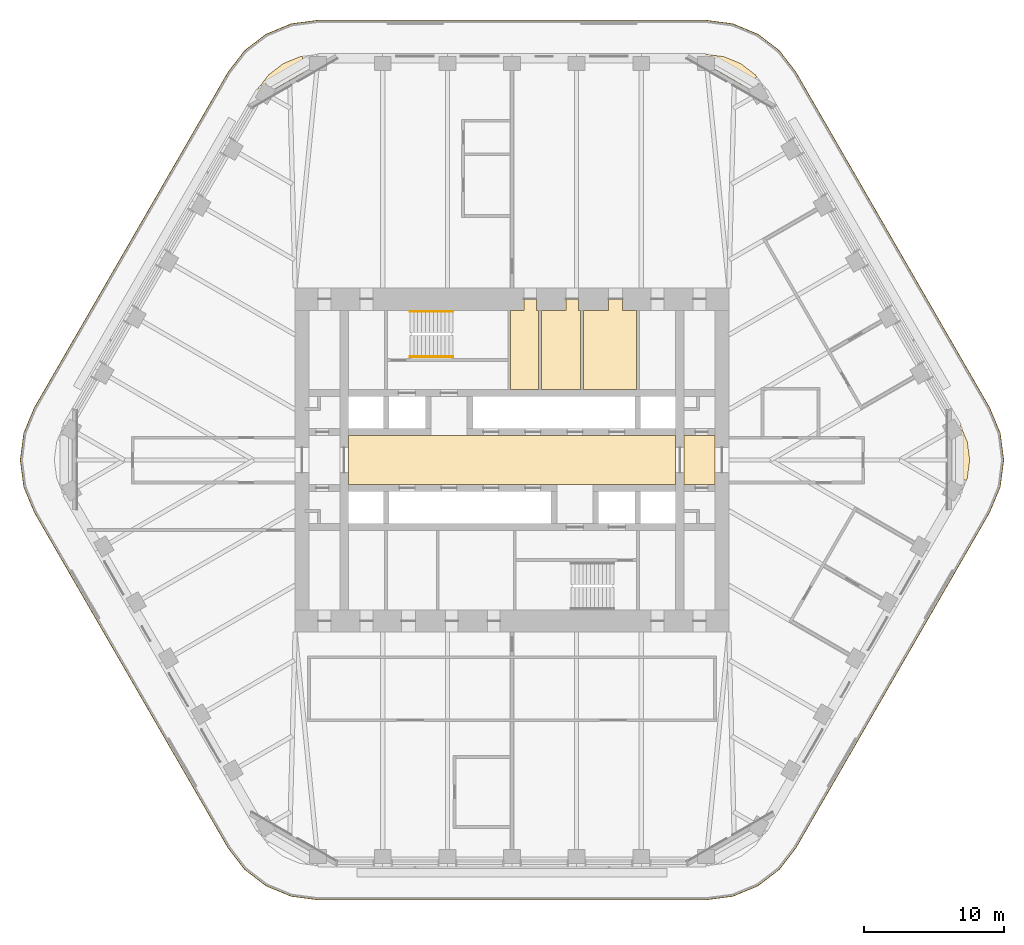
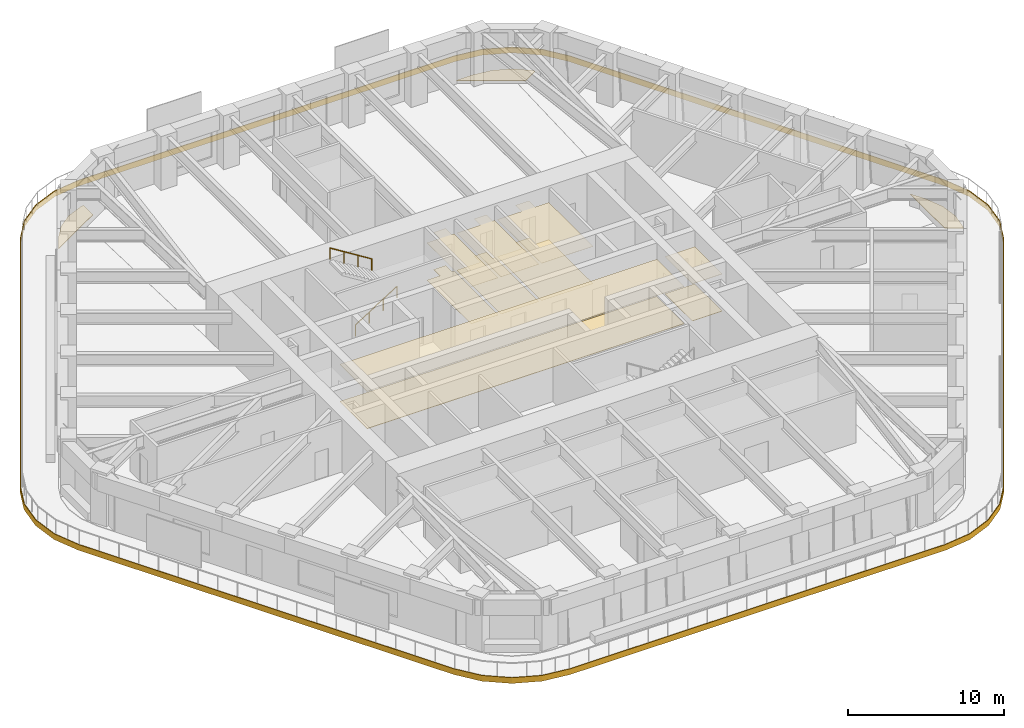
# One storey, part 19 of 20: 14 coverings, 2 railings.
"""IFC4 building model written with IfcOpenShell, lengths in metres."""

from ifc_helpers import new_model, si_unit, direction, frame, origin, origin_2d, place, context, subcontext, project, spatial, polyline, circle, outline, extrude, material, layer, layer_set, type_object, element, save


model = new_model("IFC4")

# Units and contexts
model_context = context("Model", 3, precision=1e-05, world=origin(), true_north=direction((0.0, 1.0)))
body_context = subcontext(model_context, "Body", "Model", "MODEL_VIEW")
ifc_project = project(units=[si_unit("LENGTHUNIT", "METRE"), si_unit("AREAUNIT", "SQUARE_METRE"), si_unit("VOLUMEUNIT", "CUBIC_METRE"), si_unit("PLANEANGLEUNIT", "RADIAN"), si_unit("MASSUNIT", "GRAM", prefix="KILO")], contexts=[model_context])

# Site, building, storey
site_placement = place(None, origin())
site = spatial("IfcSite", under=ifc_project, at=site_placement, CompositionType="ELEMENT")
building_placement = place(site_placement, origin())
building = spatial("IfcBuilding", under=site, at=building_placement, Name="Tarfa Lantern Tower", CompositionType="ELEMENT")
storey_placement = place(building_placement, frame((0.0, 0.0, 261.699951171875)))
storey = spatial("IfcBuildingStorey", under=building, at=storey_placement, Name="L59", CompositionType="ELEMENT", Elevation=261.699951171875)

# Coverings
ifc_material_1 = material(Name="Moisture-resistant plasterboard", Category="finish")
ifc_layer_1 = layer(ifc_material_1, 0.014892578125)
ifc_layer_set_1 = layer_set([ifc_layer_1], Name="CL2 MOISTURE-RESISTANT PLASTERBOARD CEILING 15")
covering_type_1 = type_object("IfcCoveringType", Name="CL2 MOISTURE-RESISTANT PLASTERBOARD CEILING 15", PredefinedType="CEILING", material=ifc_layer_set_1)
covering_1_placement = place(storey_placement, frame((0.0, 0.0, 2.900146484375)))
element("IfcCovering", 1, at=covering_1_placement, inside=storey, type_object=covering_type_1, Name="Ceiling L59-07", PredefinedType="CEILING", context=body_context, shape_type="SweptSolid", body=[
    extrude(outline(polyline([(0.85009765625, 10.699951171875), (-0.10009765625, 10.699951171875), (-0.10009765625, 5.050048828125), (1.89990234375, 5.050048828125), (1.89990234375, 10.699951171875), (1.75, 10.699951171875), (1.75, 11.5), (1.75, 11.5), (0.85009765625, 11.5), (0.85009765625, 10.699951171875)])), origin(), (0.0, 0.0, 1.0), 0.014892578125),
])
covering_2_placement = place(storey_placement, frame((0.0, 0.0, 2.900146484375)))
element("IfcCovering", 2, at=covering_2_placement, inside=storey, type_object=covering_type_1, Name="Ceiling L59-08", PredefinedType="CEILING", context=body_context, shape_type="SweptSolid", body=[
    extrude(outline(polyline([(2.10009765625, 5.050048828125), (4.89990234375, 5.050048828125), (4.89990234375, 10.699951171875), (4.75, 10.699951171875), (4.75, 11.5), (3.85009765625, 11.5), (3.85009765625, 10.699951171875), (2.10009765625, 10.699951171875), (2.10009765625, 5.050048828125)])), origin(), (0.0, 0.0, 1.0), 0.014892578125),
])
covering_3_placement = place(storey_placement, frame((0.0, 0.0, 2.900146484375)))
element("IfcCovering", 3, at=covering_3_placement, inside=storey, type_object=covering_type_1, Name="Ceiling L59-09", PredefinedType="CEILING", context=body_context, shape_type="SweptSolid", body=[
    extrude(outline(polyline([(5.10009765625, 5.050048828125), (8.89990234375, 5.050048828125), (8.89990234375, 10.699951171875), (7.89990234375, 10.699951171875), (7.89990234375, 11.5), (6.89990234375, 11.5), (6.89990234375, 10.699951171875), (5.10009765625, 10.699951171875), (5.10009765625, 5.050048828125)])), origin(), (0.0, 0.0, 1.0), 0.014892578125),
])
ifc_material_2 = material(Name="Powder-coated aluminium panel", Category="aluminium")
ifc_layer_2 = layer(ifc_material_2, 0.030029296875)
ifc_layer_set_2 = layer_set([ifc_layer_2], Name="CL3 METAL PANEL CEILING 30")
covering_type_2 = type_object("IfcCoveringType", Name="CL3 METAL PANEL CEILING 30", PredefinedType="CEILING", material=ifc_layer_set_2)
covering_4_placement = place(storey_placement, frame((0.0, 0.0, 2.900146484375)))
element("IfcCovering", 4, at=covering_4_placement, inside=storey, type_object=covering_type_2, Name="Ceiling L59-02", PredefinedType="CEILING", context=body_context, shape_type="SweptSolid", body=[
    extrude(outline(polyline([(-11.699951171875, -1.75), (11.699951171875, -1.75), (11.699951171875, 1.75), (-11.699951171875, 1.75), (-11.699951171875, -1.75)])), origin(), (0.0, 0.0, 1.0), 0.02978515625),
])
covering_5_placement = place(storey_placement, frame((0.0, 0.0, 2.900146484375)))
element("IfcCovering", 5, at=covering_5_placement, inside=storey, type_object=covering_type_2, Name="Ceiling L59-03", PredefinedType="CEILING", context=body_context, shape_type="SweptSolid", body=[
    extrude(outline(polyline([(12.300048828125, -1.75), (14.5, -1.75), (14.5, 1.75), (12.300048828125, 1.75), (12.300048828125, -1.75)])), origin(), (0.0, 0.0, 1.0), 0.02978515625),
])
ifc_material_3 = material(Name="Honed limestone flooring", Category="masonry")
ifc_layer_3 = layer(ifc_material_3, 0.030029296875)
ifc_layer_set_3 = layer_set([ifc_layer_3], Name="FL2 STONE FLOORING 30")
covering_type_3 = type_object("IfcCoveringType", Name="FL2 STONE FLOORING 30", PredefinedType="FLOORING", material=ifc_layer_set_3)
covering_6_placement = place(storey_placement, origin())
element("IfcCovering", 6, at=covering_6_placement, inside=storey, type_object=covering_type_3, Name="Floor finish L59-02", PredefinedType="FLOORING", context=body_context, shape_type="SweptSolid", body=[
    extrude(outline(polyline([(-11.699951171875, -1.75), (11.699951171875, -1.75), (11.699951171875, 1.75), (-11.699951171875, 1.75), (-11.699951171875, -1.75)])), origin(), (0.0, 0.0, 1.0), 0.030029296875),
])
covering_7_placement = place(storey_placement, origin())
element("IfcCovering", 7, at=covering_7_placement, inside=storey, type_object=covering_type_3, Name="Floor finish L59-03", PredefinedType="FLOORING", context=body_context, shape_type="SweptSolid", body=[
    extrude(outline(polyline([(12.300048828125, -1.75), (14.5, -1.75), (14.5, 1.75), (12.300048828125, 1.75), (12.300048828125, -1.75)])), origin(), (0.0, 0.0, 1.0), 0.030029296875),
])
ifc_material_4 = material(Name="Porcelain floor tile", Category="finish")
ifc_layer_4 = layer(ifc_material_4, 0.011962890625)
ifc_layer_set_4 = layer_set([ifc_layer_4], Name="FL3 CERAMIC TILE 12")
covering_type_4 = type_object("IfcCoveringType", Name="FL3 CERAMIC TILE 12", PredefinedType="FLOORING", material=ifc_layer_set_4)
covering_8_placement = place(storey_placement, origin())
element("IfcCovering", 8, at=covering_8_placement, inside=storey, type_object=covering_type_4, Name="Floor finish L59-07", PredefinedType="FLOORING", context=body_context, shape_type="SweptSolid", body=[
    extrude(outline(polyline([(0.85009765625, 10.699951171875), (-0.10009765625, 10.699951171875), (-0.10009765625, 5.050048828125), (1.89990234375, 5.050048828125), (1.89990234375, 10.699951171875), (1.75, 10.699951171875), (1.75, 11.5), (1.75, 11.5), (0.85009765625, 11.5), (0.85009765625, 10.699951171875)])), origin(), (0.0, 0.0, 1.0), 0.011962890625),
])
covering_9_placement = place(storey_placement, origin())
element("IfcCovering", 9, at=covering_9_placement, inside=storey, type_object=covering_type_4, Name="Floor finish L59-08", PredefinedType="FLOORING", context=body_context, shape_type="SweptSolid", body=[
    extrude(outline(polyline([(2.10009765625, 5.050048828125), (4.89990234375, 5.050048828125), (4.89990234375, 10.699951171875), (4.75, 10.699951171875), (4.75, 11.5), (3.85009765625, 11.5), (3.85009765625, 10.699951171875), (2.10009765625, 10.699951171875), (2.10009765625, 5.050048828125)])), origin(), (0.0, 0.0, 1.0), 0.011962890625),
])
covering_10_placement = place(storey_placement, origin())
element("IfcCovering", 10, at=covering_10_placement, inside=storey, type_object=covering_type_4, Name="Floor finish L59-09", PredefinedType="FLOORING", context=body_context, shape_type="SweptSolid", body=[
    extrude(outline(polyline([(5.10009765625, 5.050048828125), (8.89990234375, 5.050048828125), (8.89990234375, 10.699951171875), (7.89990234375, 10.699951171875), (7.89990234375, 11.5), (6.89990234375, 11.5), (6.89990234375, 10.699951171875), (5.10009765625, 10.699951171875), (5.10009765625, 5.050048828125)])), origin(), (0.0, 0.0, 1.0), 0.011962890625),
])

# Railings
ifc_material_5 = material(Name="Stainless steel", Category="steel")
railing_type = type_object("IfcRailingType", Name="HR1 HANDRAIL 900", PredefinedType="HANDRAIL", material=ifc_material_5)
railing_1_placement = place(storey_placement, frame((-7.300048828125, 7.3798828125, 0.175048828125)))
element("IfcRailing", 11, at=railing_1_placement, inside=storey, type_object=railing_type, Name="Handrail 1", PredefinedType="HANDRAIL", context=body_context, shape_type="SweptSolid", body=[
    extrude(circle(Radius=0.02392578125, at=origin_2d()), frame((0.0, 0.0, 0.8759765625), z_axis=(0.847998304005, 0.0, 0.529998940003), x_axis=(0.0, 1.0, 0.0)), (0.0, 0.0, 1.0), 3.632080078125),
    extrude(circle(Radius=0.02099609375, at=origin_2d()), frame((0.0, 0.0, 0.0), z_axis=(0.0, 0.0, 1.0), x_axis=(0.0, 1.0, 0.0)), (0.0, 0.0, 1.0), 0.851806640625),
    extrude(circle(Radius=0.02099609375, at=origin_2d()), frame((1.026611328125, 0.0, 0.6416015625), z_axis=(0.0, 0.0, 1.0), x_axis=(0.0, 1.0, 0.0)), (0.0, 0.0, 1.0), 0.851806640625),
    extrude(circle(Radius=0.02099609375, at=origin_2d()), frame((2.053466796875, 0.0, 1.283447265625), z_axis=(0.0, 0.0, 1.0), x_axis=(0.0, 1.0, 0.0)), (0.0, 0.0, 1.0), 0.851806640625),
    extrude(circle(Radius=0.02099609375, at=origin_2d()), frame((3.080078125, 0.0, 1.925048828125), z_axis=(0.0, 0.0, 1.0), x_axis=(0.0, 1.0, 0.0)), (0.0, 0.0, 1.0), 0.851806640625),
])
railing_2_placement = place(storey_placement, frame((-4.219970703125, 10.6201171875, 2.275146484375)))
element("IfcRailing", 12, at=railing_2_placement, inside=storey, type_object=railing_type, Name="Handrail 2", PredefinedType="HANDRAIL", context=body_context, shape_type="SweptSolid", body=[
    extrude(circle(Radius=0.02392578125, at=origin_2d()), frame((0.0, 0.0, 0.8759765625), z_axis=(-0.848028513186, 0.0, 0.529950602248), x_axis=(0.0, -1.0, 0.0)), (0.0, 0.0, 1.0), 3.632080078125),
    extrude(circle(Radius=0.02099609375, at=origin_2d()), frame((0.0, 0.0, 0.0), z_axis=(0.0, 0.0, 1.0), x_axis=(0.0, -1.0, 0.0)), (0.0, 0.0, 1.0), 0.851806640625),
    extrude(circle(Radius=0.02099609375, at=origin_2d()), frame((-1.026611328125, 0.0, 0.6416015625), z_axis=(0.0, 0.0, 1.0), x_axis=(0.0, -1.0, 0.0)), (0.0, 0.0, 1.0), 0.851806640625),
    extrude(circle(Radius=0.02099609375, at=origin_2d()), frame((-2.053466796875, 0.0, 1.283203125), z_axis=(0.0, 0.0, 1.0), x_axis=(0.0, -1.0, 0.0)), (0.0, 0.0, 1.0), 0.851806640625),
    extrude(circle(Radius=0.02099609375, at=origin_2d()), frame((-3.080078125, 0.0, 1.9248046875), z_axis=(0.0, 0.0, 1.0), x_axis=(0.0, -1.0, 0.0)), (0.0, 0.0, 1.0), 0.851806640625),
])

# Coverings
ifc_material_6 = material(Name="Porcelain pavers on pedestals", Category="ceramic")
ifc_layer_5 = layer(ifc_material_6, 0.0400390625)
ifc_layer_set_5 = layer_set([ifc_layer_5], Name="LP1 LOGGIA PAVING 40")
covering_type_5 = type_object("IfcCoveringType", Name="LP1 LOGGIA PAVING 40", PredefinedType="FLOORING", material=ifc_layer_set_5)
covering_11_placement = place(storey_placement, origin())
element("IfcCovering", 13, at=covering_11_placement, inside=storey, type_object=covering_type_5, Name="Sky garden paving NE-N", PredefinedType="FLOORING", context=body_context, shape_type="SweptSolid", body=[
    extrude(outline(polyline([(15.150390625, 28.82958984375), (16.3564453125, 28.330078125), (17.391845703125, 27.53564453125), (17.51123046875, 27.380126953125), (16.4765625, 26.782958984375), (12.641357421875, 28.997314453125), (12.64306640625, 29.0), (13.8564453125, 29.0), (15.150390625, 28.82958984375)])), origin(), (0.0, 0.0, 1.0), 0.0400390625),
])
covering_12_placement = place(storey_placement, origin())
element("IfcCovering", 14, at=covering_12_placement, inside=storey, type_object=covering_type_5, Name="Sky garden paving N-NW", PredefinedType="FLOORING", context=body_context, shape_type="SweptSolid", body=[
    extrude(outline(polyline([(-17.391845703125, 27.53564453125), (-16.3564453125, 28.330078125), (-15.150390625, 28.82958984375), (-14.956298828125, 28.855224609375), (-14.956298828125, 27.66064453125), (-18.791748046875, 25.4462890625), (-18.793212890625, 25.44921875), (-18.1865234375, 26.5), (-17.391845703125, 27.53564453125)])), origin(), (0.0, 0.0, 1.0), 0.0400390625),
])
covering_13_placement = place(storey_placement, origin())
element("IfcCovering", 15, at=covering_13_placement, inside=storey, type_object=covering_type_5, Name="Sky garden paving SE-NE", PredefinedType="FLOORING", context=body_context, shape_type="SweptSolid", body=[
    extrude(outline(polyline([(32.54248046875, 1.294189453125), (32.712890625, 0.0), (32.54248046875, -1.294189453125), (32.467529296875, -1.474853515625), (31.43310546875, -0.877685546875), (31.43310546875, 3.55078125), (31.436279296875, 3.55078125), (32.04296875, 2.5), (32.54248046875, 1.294189453125)])), origin(), (0.0, 0.0, 1.0), 0.0400390625),
])
ifc_material_7 = material(Name="Limestone cladding on brackets", Category="masonry")
ifc_layer_6 = layer(ifc_material_7, 0.050048828125)
ifc_layer_set_6 = layer_set([ifc_layer_6], Name="SB1 STONE BAND CLADDING 50")
covering_type_6 = type_object("IfcCoveringType", Name="SB1 STONE BAND CLADDING 50", PredefinedType="CLADDING", material=ifc_layer_set_6)
covering_14_placement = place(storey_placement, frame((0.0, 0.0, -0.39990234375)))
element("IfcCovering", 16, at=covering_14_placement, inside=storey, type_object=covering_type_6, Name="Stone band", PredefinedType="CLADDING", context=body_context, shape_type="SweptSolid", body=[
    extrude(outline(polyline([(34.164794921875, 3.72509765625), (20.308349609375, 27.72509765625), (19.124267578125, 29.26806640625), (17.581298828125, 30.451904296875), (15.78466796875, 31.196044921875), (13.8564453125, 31.449951171875), (-13.8564453125, 31.449951171875), (-15.78466796875, 31.196044921875), (-17.581298828125, 30.451904296875), (-19.124267578125, 29.26806640625), (-20.308349609375, 27.72509765625), (-34.164794921875, 3.72509765625), (-34.908935546875, 1.92822265625), (-35.162841796875, 0.0), (-34.908935546875, -1.92822265625), (-34.164794921875, -3.72509765625), (-20.308349609375, -27.72509765625), (-19.124267578125, -29.26806640625), (-17.581298828125, -30.451904296875), (-15.78466796875, -31.196044921875), (-13.8564453125, -31.449951171875), (13.8564453125, -31.449951171875), (15.78466796875, -31.196044921875), (17.581298828125, -30.451904296875), (19.124267578125, -29.26806640625), (20.308349609375, -27.72509765625), (34.164794921875, -3.72509765625), (34.908935546875, -1.92822265625), (35.162841796875, 0.0), (34.908935546875, 1.92822265625), (34.164794921875, 3.72509765625)]), holes=[polyline([(34.121337890625, 3.699951171875), (20.264892578125, 27.699951171875), (19.089111328125, 29.232666015625), (17.556396484375, 30.40869140625), (15.771728515625, 31.14794921875), (13.8564453125, 31.39990234375), (-13.8564453125, 31.39990234375), (-15.771728515625, 31.14794921875), (-17.556396484375, 30.40869140625), (-19.089111328125, 29.232666015625), (-20.264892578125, 27.699951171875), (-34.121337890625, 3.699951171875), (-34.860595703125, 1.915283203125), (-35.11279296875, 0.0), (-34.860595703125, -1.915283203125), (-34.121337890625, -3.699951171875), (-20.264892578125, -27.699951171875), (-19.089111328125, -29.232666015625), (-17.556396484375, -30.40869140625), (-15.771728515625, -31.14794921875), (-13.8564453125, -31.39990234375), (13.8564453125, -31.39990234375), (15.771728515625, -31.14794921875), (17.556396484375, -30.40869140625), (19.089111328125, -29.232666015625), (20.264892578125, -27.699951171875), (34.121337890625, -3.699951171875), (34.860595703125, -1.915283203125), (35.11279296875, 0.0), (34.860595703125, 1.915283203125), (34.121337890625, 3.699951171875)])]), origin(), (0.0, 0.0, 1.0), 0.449951171875),
])

save(model, "model.ifc")
